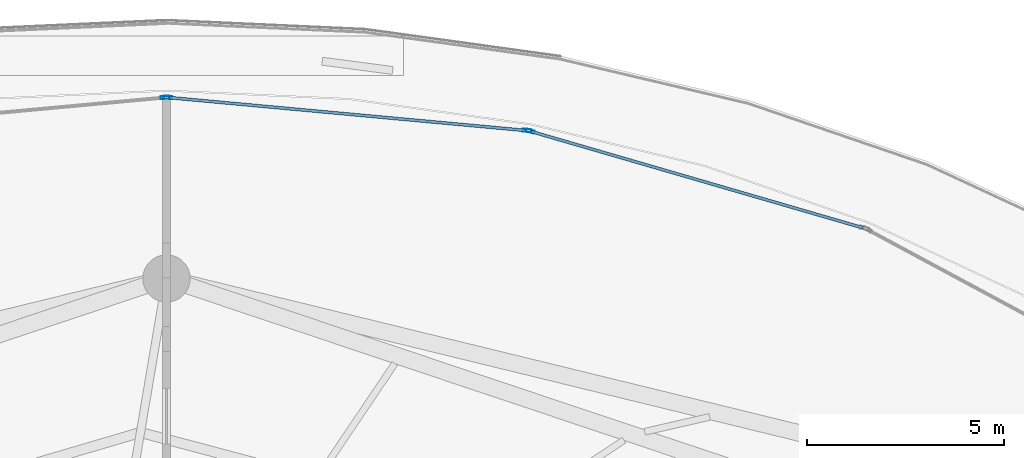
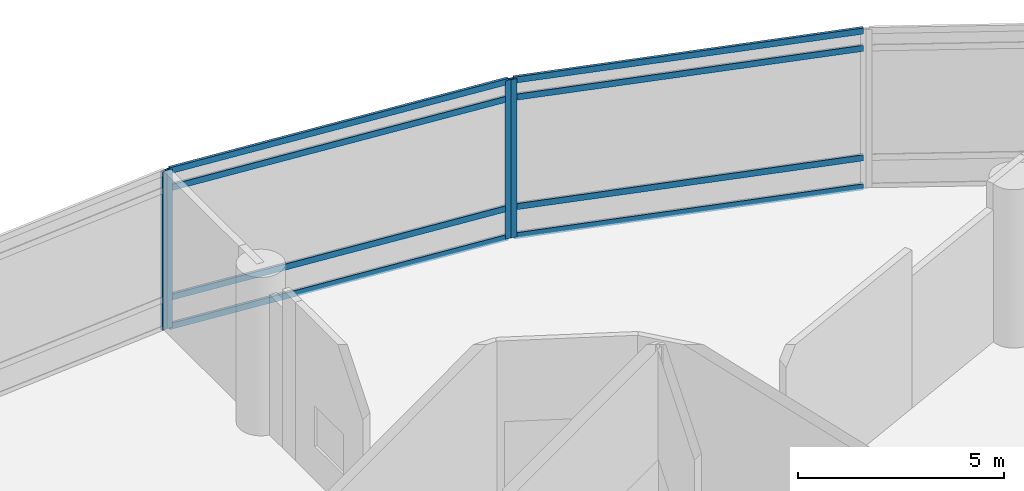
# One storey, part 21 of 36: 12 members, 3 elements without a shape of their own.
"""IFC4 building model written with IfcOpenShell, lengths in metres."""

from ifc_helpers import new_model, si_unit, direction, frame, origin, origin_2d, place, context, subcontext, project, spatial, hollow_rectangle, extrude, material, layer, layer_set, material_profile, profile_set, type_object, element, aggregate, save


model = new_model("IFC4")

# Units and contexts
model_context = context("Model", 3, precision=1e-05, world=origin(), true_north=direction((0.0, 1.0)))
body_context = subcontext(model_context, "Body", "Model", "MODEL_VIEW")
ifc_project = project(units=[si_unit("LENGTHUNIT", "METRE"), si_unit("AREAUNIT", "SQUARE_METRE"), si_unit("VOLUMEUNIT", "CUBIC_METRE"), si_unit("PLANEANGLEUNIT", "RADIAN"), si_unit("MASSUNIT", "GRAM", prefix="KILO")], contexts=[model_context])

# Site, building, storey
site_placement = place(None, origin())
site = spatial("IfcSite", under=ifc_project, at=site_placement, CompositionType="ELEMENT")
building_placement = place(site_placement, origin())
building = spatial("IfcBuilding", under=site, at=building_placement, Name="Nuhasar Tower", CompositionType="ELEMENT")
storey_placement = place(building_placement, frame((0.0, 0.0, 11.0)))
storey = spatial("IfcBuildingStorey", under=building, at=storey_placement, Name="L02", CompositionType="ELEMENT", Elevation=11.0)

# Curtain wall, member
ifc_material = material(Name="Aluminium 6063-T6", Category="aluminium")
ifc_layer = layer(ifc_material, 0.219970703125)
ifc_layer_set = layer_set([ifc_layer], Name="Aluminium 6063-T6")
curtain_wall_type = type_object("IfcCurtainWallType", Name="CW-PODIUM", PredefinedType="NOTDEFINED", material=ifc_layer_set)
curtain_wall_1_placement = place(storey_placement, origin())
curtain_wall_1 = element("IfcCurtainWall", 1, at=curtain_wall_1_placement, inside=storey, type_object=curtain_wall_type, Name="L02 Podium Curtain Wall Bay 05", PredefinedType="NOTDEFINED")
ifc_material_profile_1 = material_profile(ifc_material, hollow_rectangle(XDim=0.074951171875, YDim=0.219970703125, WallThickness=0.0048828125, at=origin_2d()), Name="CWM-1")
ifc_profile_set_1 = profile_set([ifc_material_profile_1], Name="Aluminium 6063-T6")
member_type_1 = type_object("IfcMemberType", Name="CW-MUL-S1", PredefinedType="MULLION", material=ifc_profile_set_1)
member_1_placement = place(storey_placement, frame((48.208984375, 50.783447265625, 0.0), z_axis=(0.0, 0.0, 1.0), x_axis=(-0.278873705907, -0.960327785787, 0.0)))
member_1 = element("IfcMember", 2, at=member_1_placement, type_object=member_type_1, Name="CW-P1 mullion 2", PredefinedType="MULLION", context=body_context, shape_type="SweptSolid", body=[
    extrude(hollow_rectangle(XDim=0.074951171875, YDim=0.219970703125, WallThickness=0.0048828125, at=origin_2d()), origin(), (0.0, 0.0, 1.0), 4.699951171875),
])

# Curtain wall, members
curtain_wall_2_placement = place(storey_placement, origin())
curtain_wall_2 = element("IfcCurtainWall", 3, at=curtain_wall_2_placement, inside=storey, type_object=curtain_wall_type, Name="L02 Podium Curtain Wall Bay 06", PredefinedType="NOTDEFINED")
member_2_placement = place(storey_placement, frame((48.1357421875, 50.79736328125, 0.0), z_axis=(0.0, 0.0, 1.0), x_axis=(-0.091837437601, -0.995774013045, 0.0)))
member_2 = element("IfcMember", 4, at=member_2_placement, type_object=member_type_1, Name="CW-P1 mullion 1", PredefinedType="MULLION", context=body_context, shape_type="SweptSolid", body=[
    extrude(hollow_rectangle(XDim=0.074951171875, YDim=0.219970703125, WallThickness=0.0048828125, at=origin_2d()), origin(), (0.0, 0.0, 1.0), 4.699951171875),
])
member_3_placement = place(storey_placement, frame((39.037353515625, 51.636474609375, 0.0), z_axis=(0.0, 0.0, 1.0), x_axis=(-0.091837437601, -0.995774013045, 0.0)))
member_3 = element("IfcMember", 5, at=member_3_placement, type_object=member_type_1, Name="CW-P1 mullion 2", PredefinedType="MULLION", context=body_context, shape_type="SweptSolid", body=[
    extrude(hollow_rectangle(XDim=0.074951171875, YDim=0.219970703125, WallThickness=0.0048828125, at=origin_2d()), origin(), (0.0, 0.0, 1.0), 4.699951171875),
])

# Curtain wall, member
curtain_wall_3_placement = place(storey_placement, origin())
curtain_wall_3 = element("IfcCurtainWall", 6, at=curtain_wall_3_placement, inside=storey, type_object=curtain_wall_type, Name="L02 Podium Curtain Wall Bay 07", PredefinedType="NOTDEFINED")
member_4_placement = place(storey_placement, frame((38.962646484375, 51.636474609375, 0.0), z_axis=(0.0, 0.0, 1.0), x_axis=(0.091837437601, -0.995774013045, 0.0)))
member_4 = element("IfcMember", 7, at=member_4_placement, type_object=member_type_1, Name="CW-P1 mullion 1", PredefinedType="MULLION", context=body_context, shape_type="SweptSolid", body=[
    extrude(hollow_rectangle(XDim=0.074951171875, YDim=0.219970703125, WallThickness=0.0048828125, at=origin_2d()), origin(), (0.0, 0.0, 1.0), 4.699951171875),
])
aggregate(curtain_wall_3, [member_4])

# Member
ifc_material_profile_2 = material_profile(ifc_material, hollow_rectangle(XDim=0.074951171875, YDim=0.179931640625, WallThickness=0.00439453125, at=origin_2d()), Name="CWT-1")
ifc_profile_set_2 = profile_set([ifc_material_profile_2], Name="Aluminium 6063-T6")
member_type_2 = type_object("IfcMemberType", Name="CW-TRN-S1", PredefinedType="USERDEFINED", material=ifc_profile_set_2)
member_5_placement = place(storey_placement, frame((56.64794921875, 48.3330078125, 0.03759765625), z_axis=(-0.960326221701, 0.278879091926, 0.0), x_axis=(-0.278879091926, -0.960326221701, 0.0)))
member_5 = element("IfcMember", 8, at=member_5_placement, type_object=member_type_2, Name="CW-P1 transom 1.1", ObjectType="TRANSOM", PredefinedType="USERDEFINED", context=body_context, shape_type="SweptSolid", body=[
    extrude(hollow_rectangle(XDim=0.074951171875, YDim=0.179931640625, WallThickness=0.00439453125, at=origin_2d()), origin(), (0.0, 0.0, 1.0), 8.75),
])

member_6_placement = place(storey_placement, frame((56.64794921875, 48.3330078125, 0.89990234375), z_axis=(-0.960326221701, 0.278879091926, 0.0), x_axis=(-0.278879091926, -0.960326221701, 0.0)))
member_6 = element("IfcMember", 9, at=member_6_placement, type_object=member_type_2, Name="CW-P1 transom 1.2", ObjectType="TRANSOM", PredefinedType="USERDEFINED", context=body_context, shape_type="SweptSolid", body=[
    extrude(hollow_rectangle(XDim=0.074951171875, YDim=0.179931640625, WallThickness=0.00439453125, at=origin_2d()), origin(), (0.0, 0.0, 1.0), 8.75),
])

member_7_placement = place(storey_placement, frame((56.64794921875, 48.3330078125, 4.14990234375), z_axis=(-0.960326221701, 0.278879091926, 0.0), x_axis=(-0.278879091926, -0.960326221701, 0.0)))
member_7 = element("IfcMember", 10, at=member_7_placement, type_object=member_type_2, Name="CW-P1 transom 1.3", ObjectType="TRANSOM", PredefinedType="USERDEFINED", context=body_context, shape_type="SweptSolid", body=[
    extrude(hollow_rectangle(XDim=0.074951171875, YDim=0.179931640625, WallThickness=0.00439453125, at=origin_2d()), origin(), (0.0, 0.0, 1.0), 8.75),
])

member_8_placement = place(storey_placement, frame((56.64794921875, 48.3330078125, 4.66259765625), z_axis=(-0.960326221701, 0.278879091926, 0.0), x_axis=(-0.278879091926, -0.960326221701, 0.0)))
member_8 = element("IfcMember", 11, at=member_8_placement, type_object=member_type_2, Name="CW-P1 transom 1.4", ObjectType="TRANSOM", PredefinedType="USERDEFINED", context=body_context, shape_type="SweptSolid", body=[
    extrude(hollow_rectangle(XDim=0.074951171875, YDim=0.179931640625, WallThickness=0.00439453125, at=origin_2d()), origin(), (0.0, 0.0, 1.0), 8.75),
])

aggregate(curtain_wall_1, [member_1, member_5, member_6, member_7, member_8])

member_9_placement = place(storey_placement, frame((48.098388671875, 50.80078125, 0.03759765625), z_axis=(-0.995773542735, 0.091842536922, 0.0), x_axis=(-0.091842536922, -0.995773542735, 0.0)))
member_9 = element("IfcMember", 12, at=member_9_placement, type_object=member_type_2, Name="CW-P1 transom 1.1", ObjectType="TRANSOM", PredefinedType="USERDEFINED", context=body_context, shape_type="SweptSolid", body=[
    extrude(hollow_rectangle(XDim=0.074951171875, YDim=0.179931640625, WallThickness=0.00439453125, at=origin_2d()), origin(), (0.0, 0.0, 1.0), 9.06201171875),
])

member_10_placement = place(storey_placement, frame((48.098388671875, 50.80078125, 0.89990234375), z_axis=(-0.995773542735, 0.091842536922, 0.0), x_axis=(-0.091842536922, -0.995773542735, 0.0)))
member_10 = element("IfcMember", 13, at=member_10_placement, type_object=member_type_2, Name="CW-P1 transom 1.2", ObjectType="TRANSOM", PredefinedType="USERDEFINED", context=body_context, shape_type="SweptSolid", body=[
    extrude(hollow_rectangle(XDim=0.074951171875, YDim=0.179931640625, WallThickness=0.00439453125, at=origin_2d()), origin(), (0.0, 0.0, 1.0), 9.06201171875),
])

member_11_placement = place(storey_placement, frame((48.098388671875, 50.80078125, 4.14990234375), z_axis=(-0.995773542735, 0.091842536922, 0.0), x_axis=(-0.091842536922, -0.995773542735, 0.0)))
member_11 = element("IfcMember", 14, at=member_11_placement, type_object=member_type_2, Name="CW-P1 transom 1.3", ObjectType="TRANSOM", PredefinedType="USERDEFINED", context=body_context, shape_type="SweptSolid", body=[
    extrude(hollow_rectangle(XDim=0.074951171875, YDim=0.179931640625, WallThickness=0.00439453125, at=origin_2d()), origin(), (0.0, 0.0, 1.0), 9.06201171875),
])

member_12_placement = place(storey_placement, frame((48.098388671875, 50.80078125, 4.66259765625), z_axis=(-0.995773542735, 0.091842536922, 0.0), x_axis=(-0.091842536922, -0.995773542735, 0.0)))
member_12 = element("IfcMember", 15, at=member_12_placement, type_object=member_type_2, Name="CW-P1 transom 1.4", ObjectType="TRANSOM", PredefinedType="USERDEFINED", context=body_context, shape_type="SweptSolid", body=[
    extrude(hollow_rectangle(XDim=0.074951171875, YDim=0.179931640625, WallThickness=0.00439453125, at=origin_2d()), origin(), (0.0, 0.0, 1.0), 9.06201171875),
])

aggregate(curtain_wall_2, [member_2, member_3, member_9, member_10, member_11, member_12])

save(model, "model.ifc")
